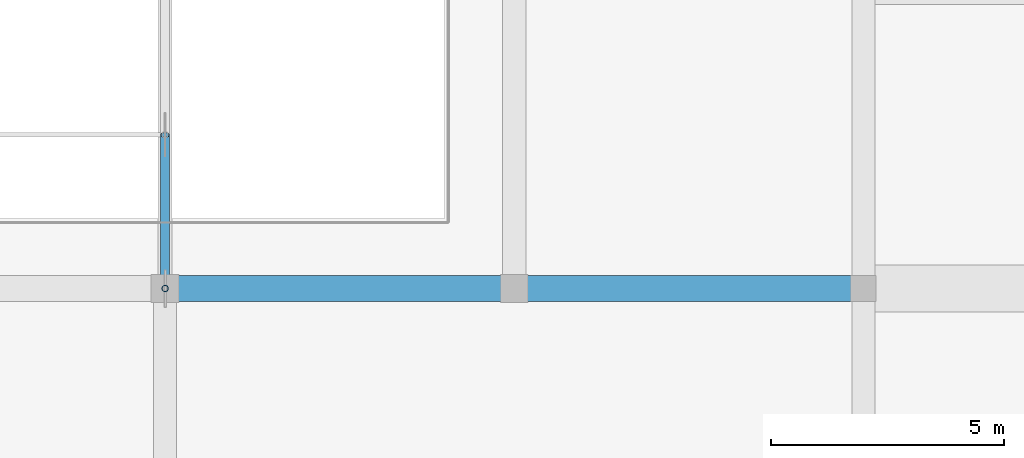
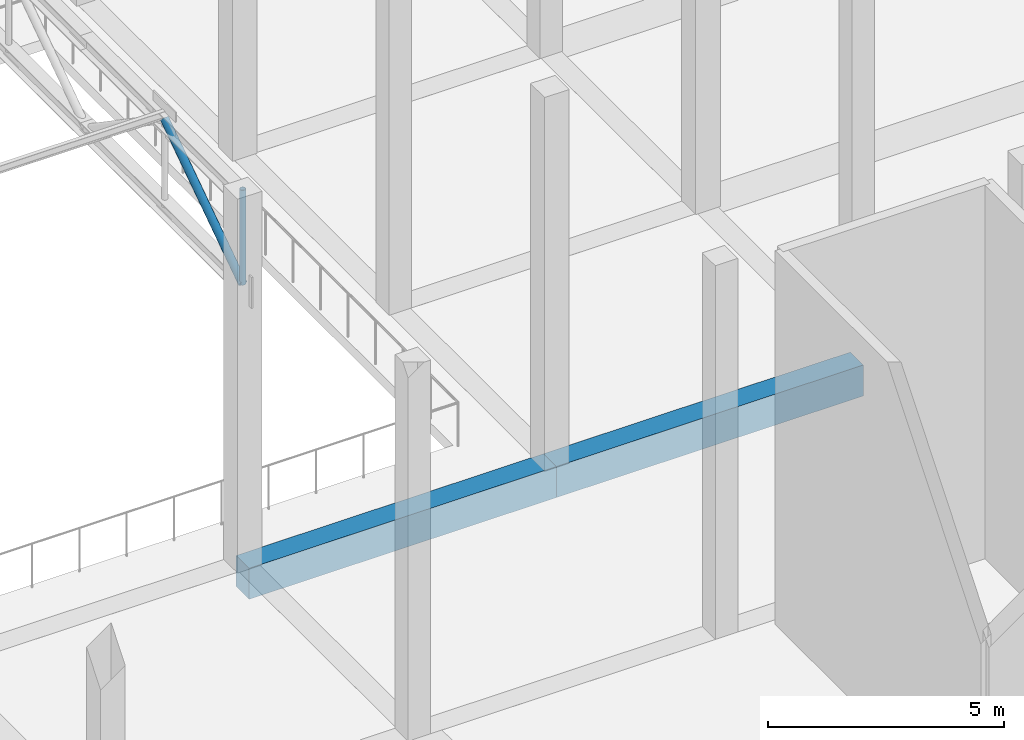
# One storey, part 41 of 80: 2 beams, 2 members.
"""IFC4 building model written with IfcOpenShell, lengths in metres."""

from ifc_helpers import new_model, si_unit, direction, frame, origin, origin_2d, place, context, subcontext, project, spatial, rectangle, hollow_circle, extrude, material, material_profile, profile_set, type_object, element, save


model = new_model("IFC4")

# Units and contexts
model_context = context("Model", 3, precision=1e-05, world=origin(), true_north=direction((0.0, 1.0)))
body_context = subcontext(model_context, "Body", "Model", "MODEL_VIEW")
ifc_project = project(units=[si_unit("LENGTHUNIT", "METRE"), si_unit("AREAUNIT", "SQUARE_METRE"), si_unit("VOLUMEUNIT", "CUBIC_METRE"), si_unit("PLANEANGLEUNIT", "RADIAN"), si_unit("MASSUNIT", "GRAM", prefix="KILO")], contexts=[model_context])

# Site, building, storey
site_placement = place(None, origin())
site = spatial("IfcSite", under=ifc_project, at=site_placement, CompositionType="ELEMENT")
building_placement = place(site_placement, origin())
building = spatial("IfcBuilding", under=site, at=building_placement, Name="Akrevak Sports Hall", CompositionType="ELEMENT")
storey_placement = place(building_placement, frame((0.0, 0.0, 14.0)))
storey = spatial("IfcBuildingStorey", under=building, at=storey_placement, Name="L03", CompositionType="ELEMENT", Elevation=14.0)

# Beams
ifc_material_1 = material(Name="Concrete C40/50", Category="concrete")
ifc_material_profile_1 = material_profile(ifc_material_1, rectangle(XDim=0.550048828125, YDim=0.800048828125, at=origin_2d()), Name="BM 550x800", Category="concrete")
ifc_profile_set_1 = profile_set([ifc_material_profile_1], Name="Concrete C40/50")
beam_type = type_object("IfcBeamType", Name="STR-BM-RC550x800", PredefinedType="BEAM", material=ifc_profile_set_1)
for number, where, z_axis, x_axis, name in (
    (1, (130.5, 28.800048828125, -0.39990234375), (1.0, 0.0, 0.0), (0.0, 1.0, 0.0), "Girder E/18-19 (L03)"),
    (2, (138.0, 28.800048828125, -0.39990234375), (1.0, 0.0, 0.0), (0.0, 1.0, 0.0), "Girder E/19-20 (L03)"),
):
    element("IfcBeam", number, at=place(storey_placement, frame(where, z_axis=z_axis, x_axis=x_axis)), inside=storey, type_object=beam_type, Name=name, PredefinedType="BEAM", context=body_context, shape_type="SweptSolid", body=[
        extrude(rectangle(XDim=0.550048828125, YDim=0.800048828125, at=origin_2d()), origin(), (0.0, 0.0, 1.0), 7.5),
    ])

# Members
ifc_material_2 = material(Name="Steel S355", Category="steel")
ifc_material_profile_2 = material_profile(ifc_material_2, hollow_circle(Radius=0.06982421875, WallThickness=0.008056640625, at=origin_2d()), Name="CHS 139.7x8", Category="steel")
ifc_profile_set_2 = profile_set([ifc_material_profile_2], Name="Steel S355")
member_type_1 = type_object("IfcMemberType", Name="STR-MEM-BRACE-CHS139", PredefinedType="BRACE", material=ifc_profile_set_2)
member_1_placement = place(storey_placement, frame((130.5, 28.800048828125, 7.18994140625), z_axis=(0.0, 0.0, 1.0), x_axis=(1.0, 0.0, 0.0)))
element("IfcMember", 3, at=member_1_placement, inside=storey, type_object=member_type_1, Name="Roof Truss 4 Bearing End Post E", PredefinedType="BRACE", context=body_context, shape_type="SweptSolid", body=[
    extrude(hollow_circle(Radius=0.06982421875, WallThickness=0.008056640625, at=origin_2d()), origin(), (0.0, 0.0, 1.0), 2.449951171875),
])
ifc_material_profile_3 = material_profile(ifc_material_2, hollow_circle(Radius=0.096923828125, WallThickness=0.010009765625, at=origin_2d()), Name="CHS 193.7x10", Category="steel")
ifc_profile_set_3 = profile_set([ifc_material_profile_3], Name="Steel S355")
member_type_2 = type_object("IfcMemberType", Name="STR-MEM-BRACE-CHS193", PredefinedType="BRACE", material=ifc_profile_set_3)
member_2_placement = place(storey_placement, frame((130.5, 28.800048828125, 7.18994140625), z_axis=(0.0, 0.826231222393, 0.56333113454), x_axis=(-1.0, 0.0, 0.0)))
element("IfcMember", 4, at=member_2_placement, inside=storey, type_object=member_type_2, Name="Roof Truss 4 Web Diagonal 1A", PredefinedType="BRACE", context=body_context, shape_type="SweptSolid", body=[
    extrude(hollow_circle(Radius=0.096923828125, WallThickness=0.010009765625, at=origin_2d()), origin(), (0.0, 0.0, 1.0), 3.994140625),
])

save(model, "model.ifc")
